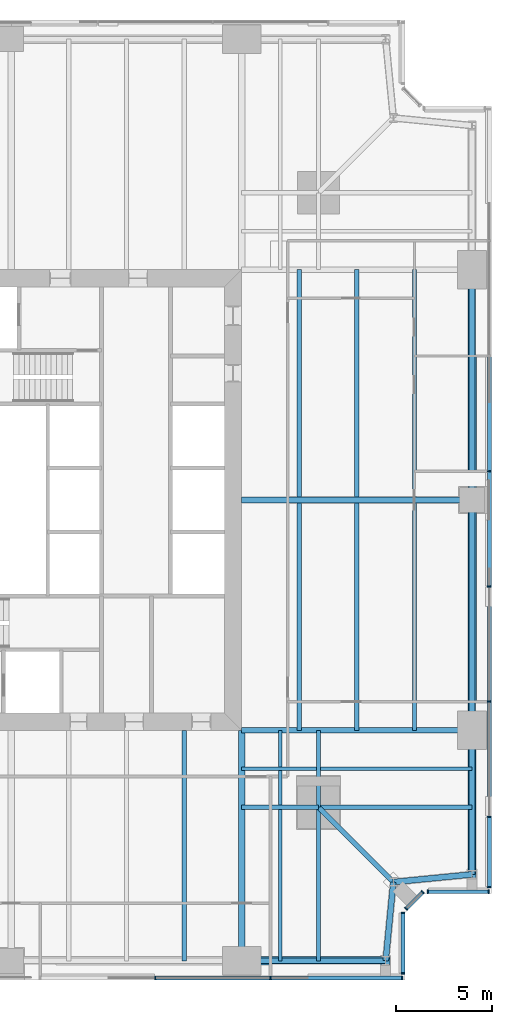
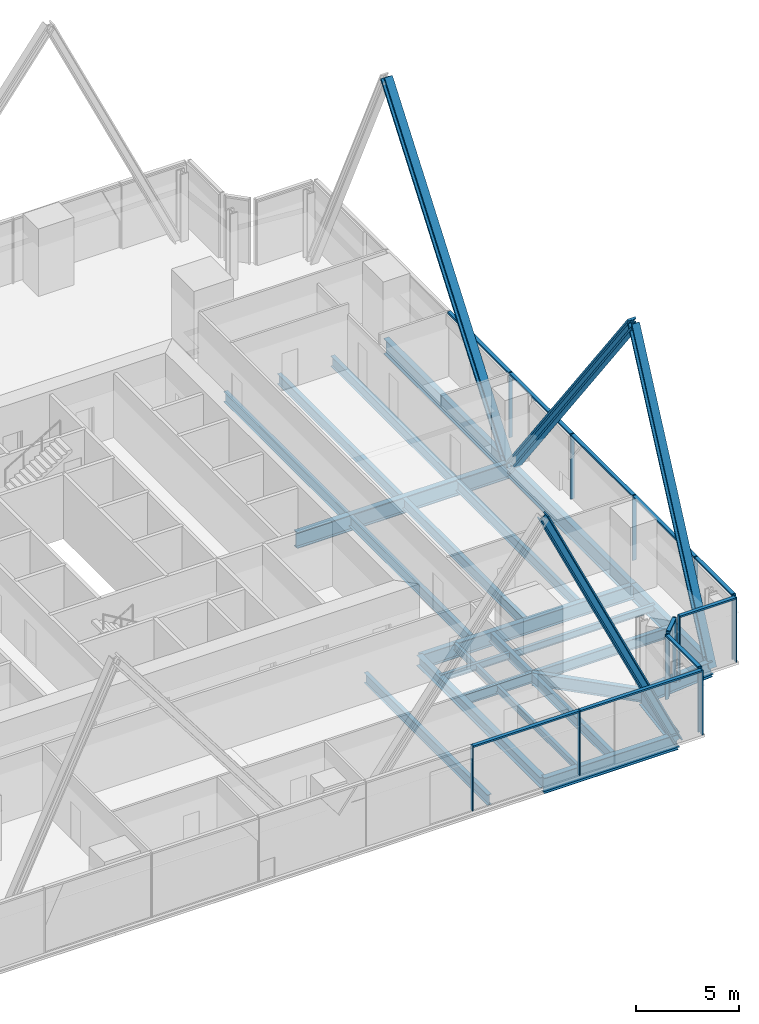
# One storey, part 5 of 13: 28 members, 26 beams, 5 elements without a shape of their own.
"""IFC4 building model written with IfcOpenShell, lengths in metres."""

import ifcopenshell
import ifcopenshell.guid

model = None  # the IFC model being written
_history = None  # IfcOwnerHistory: only IFC2X3 demands one
_inside = {}  # id of a spatial element -> (the spatial element, [elements in it])
_under = {}  # id of a project, library or spatial element -> (it, [spatial elements below it])
_declared = {}  # id of a project -> (the project, [libraries it declares])
_typed = {}  # id of a type object -> (the type object, [elements of that type])
_made_of = {}  # id of a material, layer set ... -> (it, [elements and type objects made of it])


def new_model(schema):
    """Start an empty IFC model of exactly this schema.

    Asked for "IFC4X3", IfcOpenShell would pick the latest addendum, in which some entities
    have other attributes; the version numbers below select the first issue.
    IFC2X3 requires an IfcOwnerHistory on every rooted entity: one is made here for all.
    """
    global model, _history
    if schema == "IFC4X3":
        model = ifcopenshell.file(schema_version=(4, 3, 0, 0))
    else:
        model = ifcopenshell.file(schema=schema)
    _inside.clear()
    _under.clear()
    _declared.clear()
    _typed.clear()
    _made_of.clear()
    _history = None
    if model.schema == "IFC2X3":
        org = make("IfcOrganization", Name="unknown")
        user = make(
            "IfcPersonAndOrganization",
            ThePerson=make("IfcPerson", FamilyName="unknown"),
            TheOrganization=org,
        )
        app = make(
            "IfcApplication",
            ApplicationDeveloper=org,
            Version="unknown",
            ApplicationFullName="unknown",
            ApplicationIdentifier="unknown",
        )
        _history = make(
            "IfcOwnerHistory",
            OwningUser=user,
            OwningApplication=app,
            ChangeAction="ADDED",
            CreationDate=0,
        )
    return model


def make(cls, **values):
    """One entity of the class cls with the attributes given. An attribute that is None is left unset."""
    return model.create_entity(
        cls, **{name: value for name, value in values.items() if value is not None}
    )


def rooted(cls, **values):
    """An entity with a GlobalId (a new one), such as an element, a storey or a relation."""
    return make(cls, GlobalId=ifcopenshell.guid.new(), OwnerHistory=_history, **values)


def si_unit(unit_type, name, prefix=None):
    """IfcSIUnit, for example si_unit("LENGTHUNIT", "METRE", prefix="MILLI")."""
    return make("IfcSIUnit", UnitType=unit_type, Prefix=prefix, Name=name)


def assignment(units):
    """IfcUnitAssignment: the units of a project."""
    return None if units is None else make("IfcUnitAssignment", Units=units)


def point(xyz):
    """IfcCartesianPoint."""
    return None if xyz is None else make("IfcCartesianPoint", Coordinates=xyz)


def direction(xyz):
    """IfcDirection."""
    return None if xyz is None else make("IfcDirection", DirectionRatios=xyz)


def frame(location, z_axis=None, x_axis=None):
    """IfcAxis2Placement3D, a coordinate frame: its origin and axes. An axis left out is left unset."""
    return make(
        "IfcAxis2Placement3D",
        Location=point(location),
        Axis=direction(z_axis),
        RefDirection=direction(x_axis),
    )


def frame_2d(location, x_axis=None):
    """IfcAxis2Placement2D, a coordinate frame in the plane: its origin and x axis."""
    return make(
        "IfcAxis2Placement2D", Location=point(location), RefDirection=direction(x_axis)
    )


def origin():
    """The frame at (0, 0, 0) with its axes left unset."""
    return frame((0.0, 0.0, 0.0))


def origin_2d():
    """The frame at (0, 0) in the plane with its x axis left unset."""
    return frame_2d((0.0, 0.0))


def place(relative_to, where):
    """IfcLocalPlacement: puts the frame where relative to a parent placement (None: the world)."""
    return make(
        "IfcLocalPlacement", PlacementRelTo=relative_to, RelativePlacement=where
    )


def context(
    kind, dimensions, precision=None, world=None, true_north=None, identifier=None
):
    """IfcGeometricRepresentationContext, for example the 3D "Model" context."""
    return make(
        "IfcGeometricRepresentationContext",
        ContextIdentifier=identifier,
        ContextType=kind,
        CoordinateSpaceDimension=dimensions,
        Precision=precision,
        WorldCoordinateSystem=world,
        TrueNorth=true_north,
    )


def subcontext(parent, identifier, kind, view, scale=None):
    """IfcGeometricRepresentationSubContext, for example "Body" below "Model"."""
    return make(
        "IfcGeometricRepresentationSubContext",
        ContextIdentifier=identifier,
        ContextType=kind,
        ParentContext=parent,
        TargetScale=scale,
        TargetView=view,
    )


def project(units=None, contexts=None):
    """IfcProject with its units and contexts."""
    return rooted(
        "IfcProject",
        Name="project",
        RepresentationContexts=contexts,
        UnitsInContext=assignment(units),
    )


def spatial(cls, under=None, at=None, **own):
    """A site, building, storey or space (cls), placed at a placement, below another one or the project."""
    s = rooted(cls, ObjectPlacement=at, **own)
    if under is not None:
        _under.setdefault(under.id(), (under, []))[1].append(s)
    return s


def profile(cls, at=None, kind="AREA", **sizes):
    """A parametric profile (cls). Its sizes go by their IFC names, for example OverallWidth=200.0."""
    return make(cls, ProfileType=kind, Position=at, **sizes)


def rectangle(**sizes):
    """IfcRectangleProfileDef."""
    return profile("IfcRectangleProfileDef", **sizes)


def i_section(**sizes):
    """IfcIShapeProfileDef."""
    return profile("IfcIShapeProfileDef", **sizes)


def extrude(swept, where, along, depth):
    """IfcExtrudedAreaSolid: the profile swept, set in the frame where, extruded along a direction by depth."""
    return make(
        "IfcExtrudedAreaSolid",
        SweptArea=swept,
        Position=where,
        ExtrudedDirection=direction(along),
        Depth=depth,
    )


def shape(context_of_items, identifier, shape_type, items):
    """IfcShapeRepresentation: the items that make up one representation, for example the "Body"."""
    return make(
        "IfcShapeRepresentation",
        ContextOfItems=context_of_items,
        RepresentationIdentifier=identifier,
        RepresentationType=shape_type,
        Items=items,
    )


def material(Name=None, Category=None):
    """IfcMaterial."""
    return make("IfcMaterial", Name=Name, Category=Category)


def material_profile(
    of_material, cross_section, Name=None, Category=None, Priority=None
):
    """IfcMaterialProfile: a cross section and its material."""
    return make(
        "IfcMaterialProfile",
        Name=Name,
        Material=of_material,
        Profile=cross_section,
        Priority=Priority,
        Category=Category,
    )


def profile_set(profiles, Name=None, composite=None):
    """IfcMaterialProfileSet."""
    return make(
        "IfcMaterialProfileSet",
        Name=Name,
        MaterialProfiles=profiles,
        CompositeProfile=composite,
    )


def made_of(thing, what):
    """Note that an element or type object is made of a material, layer set ...; save() writes the relation."""
    if what is not None:
        _made_of.setdefault(what.id(), (what, []))[1].append(thing)
    return thing


def type_object(cls, material=None, **own):
    """A type object (cls), such as IfcWallType, which elements share."""
    return made_of(rooted(cls, **own), material)


def element(
    cls,
    number,
    at=None,
    inside=None,
    cuts=None,
    type_object=None,
    material=None,
    context=None,
    identifier="Body",
    shape_type=None,
    held_by="IfcProductDefinitionShape",
    body=None,
    shapes=None,
    **own,
):
    """One element of the class cls, such as IfcWall. Its Tag is "e" and its number.

    at: its placement. inside: the storey or other place that contains it. cuts: it is an
    opening in that element (IfcRelVoidsElement). A single representation is given by context,
    identifier, shape_type and body (its items); several are given by shapes. held_by: the class
    of the entity that holds the representations. save() writes the other relations.
    """
    e = rooted(cls, Tag="e%d" % number, ObjectPlacement=at, **own)
    if body is not None:
        shapes = [shape(context, identifier, shape_type, body)]
    if shapes is not None:
        e.Representation = make(held_by, Representations=shapes)
    if inside is not None:
        _inside.setdefault(inside.id(), (inside, []))[1].append(e)
    if cuts is not None:
        rooted(
            "IfcRelVoidsElement", RelatingBuildingElement=cuts, RelatedOpeningElement=e
        )
    if type_object is not None:
        _typed.setdefault(type_object.id(), (type_object, []))[1].append(e)
    return made_of(e, material)


def aggregate(whole, parts):
    """IfcRelAggregates: a whole, such as a stair, and the parts it consists of."""
    return rooted("IfcRelAggregates", RelatingObject=whole, RelatedObjects=parts)


def save(model, path):
    """Write the relations noted so far, then the file.

    IfcRelAggregates (storeys below a building ...), IfcRelContainedInSpatialStructure (elements
    in a storey), IfcRelDefinesByType, IfcRelAssociatesMaterial and IfcRelDeclares: one each for
    every whole, place, type object, material and project.
    """
    for whole, parts in _under.values():
        aggregate(whole, parts)
    for where, things in _inside.values():
        rooted(
            "IfcRelContainedInSpatialStructure",
            RelatedElements=things,
            RelatingStructure=where,
        )
    for kind, things in _typed.values():
        rooted("IfcRelDefinesByType", RelatedObjects=things, RelatingType=kind)
    for what, things in _made_of.values():
        rooted("IfcRelAssociatesMaterial", RelatedObjects=things, RelatingMaterial=what)
    for by, libraries in _declared.values():
        rooted("IfcRelDeclares", RelatingContext=by, RelatedDefinitions=libraries)
    model.write(path)


model = new_model("IFC4")

# Units and contexts
model_context = context("Model", 3, precision=1e-05, world=origin(), true_north=direction((0.0, 1.0)))
body_context = subcontext(model_context, "Body", "Model", "MODEL_VIEW")
ifc_project = project(units=[si_unit("LENGTHUNIT", "METRE"), si_unit("AREAUNIT", "SQUARE_METRE"), si_unit("VOLUMEUNIT", "CUBIC_METRE"), si_unit("PLANEANGLEUNIT", "RADIAN"), si_unit("MASSUNIT", "GRAM", prefix="KILO")], contexts=[model_context])

# Site, building, storey
site_placement = place(None, origin())
site = spatial("IfcSite", under=ifc_project, at=site_placement, CompositionType="ELEMENT")
building_placement = place(site_placement, origin())
building = spatial("IfcBuilding", under=site, at=building_placement, Name="Fenwick Lantern Interchange", CompositionType="ELEMENT")
storey_placement = place(building_placement, frame((0.0, 0.0, 146.39990234375)))
storey = spatial("IfcBuildingStorey", under=building, at=storey_placement, Name="L34", CompositionType="ELEMENT", Elevation=146.39990234375)

# Beams
ifc_material_1 = material(Name="Steel ASTM A992 Grade 50", Category="steel")
ifc_material_profile_1 = material_profile(ifc_material_1, i_section(OverallWidth=0.3046875, OverallDepth=0.911865234375, WebThickness=0.015869140625, FlangeThickness=0.02392578125, at=origin_2d()), Name="W36X150")
ifc_profile_set_1 = profile_set([ifc_material_profile_1], Name="Steel ASTM A992 Grade 50")
beam_type_1 = type_object("IfcBeamType", Name="EDGE BEAM W36X150", PredefinedType="SPANDREL", material=ifc_profile_set_1)
beam_1_placement = place(storey_placement, frame((37.0, 1.0, -0.605712890625), z_axis=(1.0, 0.0, 0.0), x_axis=(0.0, 1.0, 0.0)))
element("IfcBeam", 1, at=beam_1_placement, inside=storey, type_object=beam_type_1, Name="L34/FR/S/EB4", PredefinedType="SPANDREL", context=body_context, shape_type="SweptSolid", body=[
    extrude(i_section(OverallWidth=0.3046875, OverallDepth=0.911865234375, WebThickness=0.015869140625, FlangeThickness=0.02392578125, at=origin_2d()), origin(), (0.0, 0.0, 1.0), 7.5),
])
for number, where, z_axis, x_axis, name in (
    (2, (44.5, 1.0, -0.605712890625), (0.097074191287, 0.995277148028, 0.0), (-0.995277148028, 0.097074191287, 0.0), "L34/FR/S/EBR1"),
    (3, (44.89990234375, 5.10009765625, -0.605712890625), (0.995277148028, 0.097074191287, 0.0), (-0.097074191287, 0.995277148028, 0.0), "L34/FR/S/EBR2"),
):
    element("IfcBeam", number, at=place(storey_placement, frame(where, z_axis=z_axis, x_axis=x_axis)), inside=storey, type_object=beam_type_1, Name=name, PredefinedType="SPANDREL", context=body_context, shape_type="SweptSolid", body=[
        extrude(i_section(OverallWidth=0.3046875, OverallDepth=0.911865234375, WebThickness=0.015869140625, FlangeThickness=0.02392578125, at=origin_2d()), origin(), (0.0, 0.0, 1.0), 4.11962890625),
    ])
beam_2_placement = place(storey_placement, frame((49.0, 5.5, -0.605712890625), z_axis=(0.0, 1.0, 0.0), x_axis=(-1.0, 0.0, 0.0)))
element("IfcBeam", 4, at=beam_2_placement, inside=storey, type_object=beam_type_1, Name="L34/FR/E/EB1", PredefinedType="SPANDREL", context=body_context, shape_type="SweptSolid", body=[
    extrude(i_section(OverallWidth=0.3046875, OverallDepth=0.911865234375, WebThickness=0.015869140625, FlangeThickness=0.02392578125, at=origin_2d()), origin(), (0.0, 0.0, 1.0), 7.5),
])
for number, where, z_axis, x_axis, name in (
    (5, (49.0, 13.0, -0.605712890625), (0.0, 1.0, 0.0), (-1.0, 0.0, 0.0), "L34/FR/E/EB2"),
    (6, (49.0, 25.0, -0.605712890625), (0.0, 1.0, 0.0), (-1.0, 0.0, 0.0), "L34/FR/E/EB3"),
):
    element("IfcBeam", number, at=place(storey_placement, frame(where, z_axis=z_axis, x_axis=x_axis)), inside=storey, type_object=beam_type_1, Name=name, PredefinedType="SPANDREL", context=body_context, shape_type="SweptSolid", body=[
        extrude(i_section(OverallWidth=0.3046875, OverallDepth=0.911865234375, WebThickness=0.015869140625, FlangeThickness=0.02392578125, at=origin_2d()), origin(), (0.0, 0.0, 1.0), 12.0),
    ])

# Members
ifc_material_profile_2 = material_profile(ifc_material_1, i_section(OverallWidth=0.424072265625, OverallDepth=0.47509765625, WebThickness=0.0478515625, FlangeThickness=0.0771484375, at=origin_2d()), Name="W14X426")
ifc_profile_set_2 = profile_set([ifc_material_profile_2], Name="Steel ASTM A992 Grade 50")
member_type_1 = type_object("IfcMemberType", Name="FACADE BRACE W14X426", PredefinedType="BRACE", material=ifc_profile_set_2)
for number, where, z_axis, x_axis, name in (
    (7, (44.5, 1.0, -0.605712890625), (-0.426947906428, 0.0, 0.904276221736), (0.0, -1.0, 0.0), "L34/FB/S/BE"),
    (8, (49.0, 5.5, -0.605712890625), (0.0, 0.426947906428, 0.904276221736), (-1.0, 0.0, 0.0), "L34/FB/E/AE"),
):
    element("IfcMember", number, at=place(storey_placement, frame(where, z_axis=z_axis, x_axis=x_axis)), inside=storey, type_object=member_type_1, Name=name, PredefinedType="BRACE", context=body_context, shape_type="SweptSolid", body=[
        extrude(i_section(OverallWidth=0.424072265625, OverallDepth=0.47509765625, WebThickness=0.0478515625, FlangeThickness=0.0771484375, at=origin_2d()), origin(), (0.0, 0.0, 1.0), 17.566650390625),
    ])
ifc_material_profile_3 = material_profile(ifc_material_1, i_section(OverallWidth=0.44189453125, OverallDepth=0.53076171875, WebThickness=0.06591796875, FlangeThickness=0.105712890625, at=origin_2d()), Name="W14X605")
ifc_profile_set_3 = profile_set([ifc_material_profile_3], Name="Steel ASTM A992 Grade 50")
member_type_2 = type_object("IfcMemberType", Name="FACADE BRACE W14X605", PredefinedType="BRACE", material=ifc_profile_set_3)
for number, where, z_axis, x_axis, name in (
    (9, (49.0, 25.0, -0.605712890625), (0.0, -0.602768898294, 0.797915819651), (1.0, 0.0, 0.0), "L34/FB/E/A"),
    (10, (49.0, 25.0, -0.605712890625), (0.0, 0.602768898294, 0.797915819651), (-1.0, 0.0, 0.0), "L34/FB/E/B"),
):
    element("IfcMember", number, at=place(storey_placement, frame(where, z_axis=z_axis, x_axis=x_axis)), inside=storey, type_object=member_type_2, Name=name, PredefinedType="BRACE", context=body_context, shape_type="SweptSolid", body=[
        extrude(i_section(OverallWidth=0.44189453125, OverallDepth=0.53076171875, WebThickness=0.06591796875, FlangeThickness=0.105712890625, at=origin_2d()), origin(), (0.0, 0.0, 1.0), 19.908203125),
    ])

# Beams
ifc_material_profile_4 = material_profile(ifc_material_1, i_section(OverallWidth=0.22900390625, OverallDepth=0.612060546875, WebThickness=0.011962890625, FlangeThickness=0.01953125, at=origin_2d()), Name="W24X84")
ifc_profile_set_4 = profile_set([ifc_material_profile_4], Name="Steel ASTM A992 Grade 50")
beam_type_2 = type_object("IfcBeamType", Name="FLOOR BEAM W24X84", PredefinedType="BEAM", material=ifc_profile_set_4)
beam_3_placement = place(storey_placement, frame((34.0, 1.0, -0.4560546875), z_axis=(0.0, 1.0, 0.0), x_axis=(-1.0, 0.0, 0.0)))
element("IfcBeam", 11, at=beam_3_placement, inside=storey, type_object=beam_type_2, Name="L34/FR/S/R08", PredefinedType="BEAM", context=body_context, shape_type="SweptSolid", body=[
    extrude(i_section(OverallWidth=0.22900390625, OverallDepth=0.612060546875, WebThickness=0.011962890625, FlangeThickness=0.01953125, at=origin_2d()), origin(), (0.0, 0.0, 1.0), 12.0),
])
for number, where, z_axis, x_axis, name in (
    (12, (46.0, 13.0, -0.4560546875), (0.0, 1.0, 0.0), (-1.0, 0.0, 0.0), "L34/FR/E/B01"),
    (13, (43.0, 13.0, -0.4560546875), (0.0, 1.0, 0.0), (-1.0, 0.0, 0.0), "L34/FR/E/B02"),
    (14, (40.0, 13.0, -0.4560546875), (0.0, 1.0, 0.0), (-1.0, 0.0, 0.0), "L34/FR/E/B03"),
    (15, (46.0, 25.155029296875, -0.4560546875), (0.0, 1.0, 0.0), (-1.0, 0.0, 0.0), "L34/FR/E/B04"),
    (16, (43.0, 25.155029296875, -0.4560546875), (0.0, 1.0, 0.0), (-1.0, 0.0, 0.0), "L34/FR/E/B05"),
    (17, (40.0, 25.155029296875, -0.4560546875), (0.0, 1.0, 0.0), (-1.0, 0.0, 0.0), "L34/FR/E/B06"),
):
    element("IfcBeam", number, at=place(storey_placement, frame(where, z_axis=z_axis, x_axis=x_axis)), inside=storey, type_object=beam_type_2, Name=name, PredefinedType="BEAM", context=body_context, shape_type="SweptSolid", body=[
        extrude(i_section(OverallWidth=0.22900390625, OverallDepth=0.612060546875, WebThickness=0.011962890625, FlangeThickness=0.01953125, at=origin_2d()), origin(), (0.0, 0.0, 1.0), 11.844970703125),
    ])
ifc_material_profile_5 = material_profile(ifc_material_1, i_section(OverallWidth=0.177734375, OverallDepth=0.406494140625, WebThickness=0.0078125, FlangeThickness=0.012939453125, at=origin_2d()), Name="W16X40")
ifc_profile_set_5 = profile_set([ifc_material_profile_5], Name="Steel ASTM A992 Grade 50")
beam_type_3 = type_object("IfcBeamType", Name="INFILL BEAM W16X40", PredefinedType="JOIST", material=ifc_profile_set_5)
beam_4_placement = place(storey_placement, frame((49.0, 11.0, -0.35302734375), z_axis=(-1.0, 0.0, 0.0), x_axis=(0.0, -1.0, 0.0)))
element("IfcBeam", 18, at=beam_4_placement, inside=storey, type_object=beam_type_3, Name="L34/FR/E/J1", PredefinedType="JOIST", context=body_context, shape_type="SweptSolid", body=[
    extrude(i_section(OverallWidth=0.177734375, OverallDepth=0.406494140625, WebThickness=0.0078125, FlangeThickness=0.012939453125, at=origin_2d()), origin(), (0.0, 0.0, 1.0), 7.885498046875),
])
beam_5_placement = place(storey_placement, frame((40.885498046875, 11.0, -0.35302734375), z_axis=(-1.0, 0.0, 0.0), x_axis=(0.0, -1.0, 0.0)))
element("IfcBeam", 19, at=beam_5_placement, inside=storey, type_object=beam_type_3, Name="L34/FR/E/J2", PredefinedType="JOIST", context=body_context, shape_type="SweptSolid", body=[
    extrude(i_section(OverallWidth=0.177734375, OverallDepth=0.406494140625, WebThickness=0.0078125, FlangeThickness=0.012939453125, at=origin_2d()), origin(), (0.0, 0.0, 1.0), 3.885498046875),
])
beam_6_placement = place(storey_placement, frame((39.0, 1.0, -0.35302734375), z_axis=(0.0, 1.0, 0.0), x_axis=(-1.0, 0.0, 0.0)))
element("IfcBeam", 20, at=beam_6_placement, inside=storey, type_object=beam_type_3, Name="L34/FR/E/J3", PredefinedType="JOIST", context=body_context, shape_type="SweptSolid", body=[
    extrude(i_section(OverallWidth=0.177734375, OverallDepth=0.406494140625, WebThickness=0.0078125, FlangeThickness=0.012939453125, at=origin_2d()), origin(), (0.0, 0.0, 1.0), 7.885498046875),
])
beam_7_placement = place(storey_placement, frame((39.0, 9.114501953125, -0.35302734375), z_axis=(0.0, 1.0, 0.0), x_axis=(-1.0, 0.0, 0.0)))
element("IfcBeam", 21, at=beam_7_placement, inside=storey, type_object=beam_type_3, Name="L34/FR/E/J4", PredefinedType="JOIST", context=body_context, shape_type="SweptSolid", body=[
    extrude(i_section(OverallWidth=0.177734375, OverallDepth=0.406494140625, WebThickness=0.0078125, FlangeThickness=0.012939453125, at=origin_2d()), origin(), (0.0, 0.0, 1.0), 1.796630859375),
])
beam_8_placement = place(storey_placement, frame((39.0, 11.0888671875, -0.35302734375), z_axis=(0.0, 1.0, 0.0), x_axis=(-1.0, 0.0, 0.0)))
element("IfcBeam", 22, at=beam_8_placement, inside=storey, type_object=beam_type_3, Name="L34/FR/E/J5", PredefinedType="JOIST", context=body_context, shape_type="SweptSolid", body=[
    extrude(i_section(OverallWidth=0.177734375, OverallDepth=0.406494140625, WebThickness=0.0078125, FlangeThickness=0.012939453125, at=origin_2d()), origin(), (0.0, 0.0, 1.0), 1.9111328125),
])
ifc_material_profile_6 = material_profile(ifc_material_1, i_section(OverallWidth=0.22900390625, OverallDepth=0.612060546875, WebThickness=0.011962890625, FlangeThickness=0.01953125, at=origin_2d()), Name="W24X84")
ifc_profile_set_6 = profile_set([ifc_material_profile_6], Name="Steel ASTM A992 Grade 50")
beam_type_4 = type_object("IfcBeamType", Name="MEGA COLUMN BEAM W24X84", PredefinedType="BEAM", material=ifc_profile_set_6)
for number, where, z_axis, x_axis, name in (
    (23, (41.0, 9.0, -0.4560546875), (1.0, 0.0, 0.0), (0.0, 1.0, 0.0), "L34/FR/E/MB1"),
    (24, (41.0, 9.0, -0.4560546875), (0.0, -1.0, 0.0), (1.0, 0.0, 0.0), "L34/FR/E/MB2"),
):
    element("IfcBeam", number, at=place(storey_placement, frame(where, z_axis=z_axis, x_axis=x_axis)), inside=storey, type_object=beam_type_4, Name=name, PredefinedType="BEAM", context=body_context, shape_type="SweptSolid", body=[
        extrude(i_section(OverallWidth=0.22900390625, OverallDepth=0.612060546875, WebThickness=0.011962890625, FlangeThickness=0.01953125, at=origin_2d()), origin(), (0.0, 0.0, 1.0), 8.0),
    ])
for number, where, z_axis, x_axis, name in (
    (25, (41.0, 9.0, -0.4560546875), (0.0, 1.0, 0.0), (-1.0, 0.0, 0.0), "L34/FR/E/MB3"),
    (26, (41.0, 9.0, -0.4560546875), (-1.0, 0.0, 0.0), (0.0, -1.0, 0.0), "L34/FR/E/MB4"),
):
    element("IfcBeam", number, at=place(storey_placement, frame(where, z_axis=z_axis, x_axis=x_axis)), inside=storey, type_object=beam_type_4, Name=name, PredefinedType="BEAM", context=body_context, shape_type="SweptSolid", body=[
        extrude(i_section(OverallWidth=0.22900390625, OverallDepth=0.612060546875, WebThickness=0.011962890625, FlangeThickness=0.01953125, at=origin_2d()), origin(), (0.0, 0.0, 1.0), 4.0),
    ])
ifc_material_profile_7 = material_profile(ifc_material_1, i_section(OverallWidth=0.32763671875, OverallDepth=0.622314453125, WebThickness=0.015380859375, FlangeThickness=0.0244140625, at=origin_2d()), Name="W24X131")
ifc_profile_set_7 = profile_set([ifc_material_profile_7], Name="Steel ASTM A992 Grade 50")
beam_type_5 = type_object("IfcBeamType", Name="MOMENT-CONNECTED GIRDER W24X131", PredefinedType="BEAM", material=ifc_profile_set_7)
beam_9_placement = place(storey_placement, frame((37.0, 1.0, -0.4609375), z_axis=(0.0, 1.0, 0.0), x_axis=(-1.0, 0.0, 0.0)))
element("IfcBeam", 27, at=beam_9_placement, inside=storey, type_object=beam_type_5, Name="L34/FR/S/R09", PredefinedType="BEAM", context=body_context, shape_type="SweptSolid", body=[
    extrude(i_section(OverallWidth=0.32763671875, OverallDepth=0.622314453125, WebThickness=0.015380859375, FlangeThickness=0.0244140625, at=origin_2d()), origin(), (0.0, 0.0, 1.0), 12.0),
])
ifc_material_profile_8 = material_profile(ifc_material_1, i_section(OverallWidth=0.2919921875, OverallDepth=0.845703125, WebThickness=0.015380859375, FlangeThickness=0.0244140625, at=origin_2d()), Name="W33X141")
ifc_profile_set_8 = profile_set([ifc_material_profile_8], Name="Steel ASTM A992 Grade 50")
beam_type_6 = type_object("IfcBeamType", Name="MOMENT-CONNECTED GIRDER W33X141", PredefinedType="BEAM", material=ifc_profile_set_8)
beam_10_placement = place(storey_placement, frame((49.0, 13.0, -0.57275390625), z_axis=(-1.0, 0.0, 0.0), x_axis=(0.0, -1.0, 0.0)))
element("IfcBeam", 28, at=beam_10_placement, inside=storey, type_object=beam_type_6, Name="L34/FR/E/R01", PredefinedType="BEAM", context=body_context, shape_type="SweptSolid", body=[
    extrude(i_section(OverallWidth=0.2919921875, OverallDepth=0.845703125, WebThickness=0.015380859375, FlangeThickness=0.0244140625, at=origin_2d()), origin(), (0.0, 0.0, 1.0), 12.0),
])
ifc_material_profile_9 = material_profile(ifc_material_1, i_section(OverallWidth=0.309814453125, OverallDepth=0.949951171875, WebThickness=0.0244140625, FlangeThickness=0.0439453125, at=origin_2d()), Name="W36X256")
ifc_profile_set_9 = profile_set([ifc_material_profile_9], Name="Steel ASTM A992 Grade 50")
beam_type_7 = type_object("IfcBeamType", Name="MOMENT-CONNECTED GIRDER W36X256", PredefinedType="BEAM", material=ifc_profile_set_9)
beam_11_placement = place(storey_placement, frame((49.0, 25.0, -0.625), z_axis=(-1.0, 0.0, 0.0), x_axis=(0.0, -1.0, 0.0)))
element("IfcBeam", 29, at=beam_11_placement, inside=storey, type_object=beam_type_7, Name="L34/FR/E/R02", PredefinedType="BEAM", context=body_context, shape_type="SweptSolid", body=[
    extrude(i_section(OverallWidth=0.309814453125, OverallDepth=0.949951171875, WebThickness=0.0244140625, FlangeThickness=0.0439453125, at=origin_2d()), origin(), (0.0, 0.0, 1.0), 12.0),
])
ifc_material_profile_10 = material_profile(ifc_material_1, i_section(OverallWidth=0.2666015625, OverallDepth=0.7568359375, WebThickness=0.013916015625, FlangeThickness=0.019287109375, at=origin_2d()), Name="W30X108")
ifc_profile_set_10 = profile_set([ifc_material_profile_10], Name="Steel ASTM A992 Grade 50")
beam_type_8 = type_object("IfcBeamType", Name="NOTCH BEAM W30X108", PredefinedType="BEAM", material=ifc_profile_set_10)
beam_12_placement = place(storey_placement, frame((41.0, 9.0, -0.5283203125), z_axis=(0.707106781187, -0.707106781187, 0.0), x_axis=(0.707106781187, 0.707106781187, 0.0)))
element("IfcBeam", 30, at=beam_12_placement, inside=storey, type_object=beam_type_8, Name="L34/FR/E/TG", PredefinedType="BEAM", context=body_context, shape_type="SweptSolid", body=[
    extrude(i_section(OverallWidth=0.2666015625, OverallDepth=0.7568359375, WebThickness=0.013916015625, FlangeThickness=0.019287109375, at=origin_2d()), origin(), (0.0, 0.0, 1.0), 5.515380859375),
])

# Curtain wall, members
ifc_material_2 = material(Name="Aluminium curtain wall frame", Category="aluminium")
curtain_wall_type = type_object("IfcCurtainWallType", Name="OFFICE CURTAIN WALL", PredefinedType="USERDEFINED", material=ifc_material_2)
curtain_wall_1_placement = place(storey_placement, origin())
curtain_wall_1 = element("IfcCurtainWall", 31, at=curtain_wall_1_placement, inside=storey, type_object=curtain_wall_type, Name="Office curtain wall 01", ObjectType="OFFICE CURTAIN WALL", PredefinedType="USERDEFINED")
ifc_material_3 = material(Name="Aluminium extrusion", Category="aluminium")
ifc_material_profile_11 = material_profile(ifc_material_3, rectangle(XDim=0.199951171875, YDim=0.06494140625, at=origin_2d()), Name="OFFICE CURTAIN WALL MULLION 65 X 200")
ifc_profile_set_11 = profile_set([ifc_material_profile_11], Name="Aluminium extrusion")
member_type_3 = type_object("IfcMemberType", Name="OFFICE CURTAIN WALL MULLION 65 X 200", PredefinedType="MULLION", material=ifc_profile_set_11)
member_1_placement = place(storey_placement, frame((32.5, 0.10009765625, 0.0), z_axis=(0.0, 0.0, 1.0), x_axis=(0.0, 1.0, 0.0)))
member_1 = element("IfcMember", 32, at=member_1_placement, type_object=member_type_3, Name="L34/CW/01/M05", PredefinedType="MULLION", context=body_context, shape_type="SweptSolid", body=[
    extrude(rectangle(XDim=0.199951171875, YDim=0.06494140625, at=origin_2d()), origin(), (0.0, 0.0, 1.0), 3.85009765625),
])
member_2_placement = place(storey_placement, frame((38.5, 0.10009765625, 0.0), z_axis=(0.0, 0.0, 1.0), x_axis=(0.0, 1.0, 0.0)))
member_2 = element("IfcMember", 33, at=member_2_placement, type_object=member_type_3, Name="L34/CW/01/M06", PredefinedType="MULLION", context=body_context, shape_type="SweptSolid", body=[
    extrude(rectangle(XDim=0.199951171875, YDim=0.06494140625, at=origin_2d()), origin(), (0.0, 0.0, 1.0), 3.85009765625),
])
member_3_placement = place(storey_placement, frame((45.367431640625, 0.10009765625, 0.0), z_axis=(0.0, 0.0, 1.0), x_axis=(0.0, 1.0, 0.0)))
member_3 = element("IfcMember", 34, at=member_3_placement, type_object=member_type_3, Name="L34/CW/01/M07", PredefinedType="MULLION", context=body_context, shape_type="SweptSolid", body=[
    extrude(rectangle(XDim=0.199951171875, YDim=0.06494140625, at=origin_2d()), origin(), (0.0, 0.0, 1.0), 3.85009765625),
])

curtain_wall_2_placement = place(storey_placement, origin())
curtain_wall_2 = element("IfcCurtainWall", 35, at=curtain_wall_2_placement, inside=storey, type_object=curtain_wall_type, Name="Office curtain wall 02", ObjectType="OFFICE CURTAIN WALL", PredefinedType="USERDEFINED")
member_4_placement = place(storey_placement, frame((45.39990234375, 0.33251953125, 0.0), z_axis=(0.0, 0.0, 1.0), x_axis=(-1.0, 0.0, 0.0)))
member_4 = element("IfcMember", 36, at=member_4_placement, type_object=member_type_3, Name="L34/CW/02/M00", PredefinedType="MULLION", context=body_context, shape_type="SweptSolid", body=[
    extrude(rectangle(XDim=0.199951171875, YDim=0.06494140625, at=origin_2d()), origin(), (0.0, 0.0, 1.0), 3.85009765625),
])
member_5_placement = place(storey_placement, frame((45.39990234375, 3.509033203125, 0.0), z_axis=(0.0, 0.0, 1.0), x_axis=(-1.0, 0.0, 0.0)))
member_5 = element("IfcMember", 37, at=member_5_placement, type_object=member_type_3, Name="L34/CW/02/M01", PredefinedType="MULLION", context=body_context, shape_type="SweptSolid", body=[
    extrude(rectangle(XDim=0.199951171875, YDim=0.06494140625, at=origin_2d()), origin(), (0.0, 0.0, 1.0), 3.85009765625),
])

curtain_wall_3_placement = place(storey_placement, origin())
curtain_wall_3 = element("IfcCurtainWall", 38, at=curtain_wall_3_placement, inside=storey, type_object=curtain_wall_type, Name="Office curtain wall 03", ObjectType="OFFICE CURTAIN WALL", PredefinedType="USERDEFINED")
member_6_placement = place(storey_placement, frame((45.564453125, 3.705810546875, 0.0), z_axis=(0.0, 0.0, 1.0), x_axis=(-0.707106781187, 0.707106781187, 0.0)))
member_6 = element("IfcMember", 39, at=member_6_placement, type_object=member_type_3, Name="L34/CW/03/M00", PredefinedType="MULLION", context=body_context, shape_type="SweptSolid", body=[
    extrude(rectangle(XDim=0.199951171875, YDim=0.06494140625, at=origin_2d()), origin(), (0.0, 0.0, 1.0), 3.85009765625),
])
member_7_placement = place(storey_placement, frame((46.435546875, 4.576904296875, 0.0), z_axis=(0.0, 0.0, 1.0), x_axis=(-0.707106781187, 0.707106781187, 0.0)))
member_7 = element("IfcMember", 40, at=member_7_placement, type_object=member_type_3, Name="L34/CW/03/M01", PredefinedType="MULLION", context=body_context, shape_type="SweptSolid", body=[
    extrude(rectangle(XDim=0.199951171875, YDim=0.06494140625, at=origin_2d()), origin(), (0.0, 0.0, 1.0), 3.85009765625),
])

curtain_wall_4_placement = place(storey_placement, origin())
curtain_wall_4 = element("IfcCurtainWall", 41, at=curtain_wall_4_placement, inside=storey, type_object=curtain_wall_type, Name="Office curtain wall 04", ObjectType="OFFICE CURTAIN WALL", PredefinedType="USERDEFINED")
member_8_placement = place(storey_placement, frame((46.691162109375, 4.60009765625, 0.0), z_axis=(0.0, 0.0, 1.0), x_axis=(0.0, 1.0, 0.0)))
member_8 = element("IfcMember", 42, at=member_8_placement, type_object=member_type_3, Name="L34/CW/04/M00", PredefinedType="MULLION", context=body_context, shape_type="SweptSolid", body=[
    extrude(rectangle(XDim=0.199951171875, YDim=0.06494140625, at=origin_2d()), origin(), (0.0, 0.0, 1.0), 3.85009765625),
])
member_9_placement = place(storey_placement, frame((49.867431640625, 4.60009765625, 0.0), z_axis=(0.0, 0.0, 1.0), x_axis=(0.0, 1.0, 0.0)))
member_9 = element("IfcMember", 43, at=member_9_placement, type_object=member_type_3, Name="L34/CW/04/M01", PredefinedType="MULLION", context=body_context, shape_type="SweptSolid", body=[
    extrude(rectangle(XDim=0.199951171875, YDim=0.06494140625, at=origin_2d()), origin(), (0.0, 0.0, 1.0), 3.85009765625),
])

curtain_wall_5_placement = place(storey_placement, origin())
curtain_wall_5 = element("IfcCurtainWall", 44, at=curtain_wall_5_placement, inside=storey, type_object=curtain_wall_type, Name="Office curtain wall 05", ObjectType="OFFICE CURTAIN WALL", PredefinedType="USERDEFINED")
member_10_placement = place(storey_placement, frame((49.89990234375, 4.83251953125, 0.0), z_axis=(0.0, 0.0, 1.0), x_axis=(-1.0, 0.0, 0.0)))
member_10 = element("IfcMember", 45, at=member_10_placement, type_object=member_type_3, Name="L34/CW/05/M00", PredefinedType="MULLION", context=body_context, shape_type="SweptSolid", body=[
    extrude(rectangle(XDim=0.199951171875, YDim=0.06494140625, at=origin_2d()), origin(), (0.0, 0.0, 1.0), 3.85009765625),
])
member_11_placement = place(storey_placement, frame((49.89990234375, 8.5, 0.0), z_axis=(0.0, 0.0, 1.0), x_axis=(-1.0, 0.0, 0.0)))
member_11 = element("IfcMember", 46, at=member_11_placement, type_object=member_type_3, Name="L34/CW/05/M01", PredefinedType="MULLION", context=body_context, shape_type="SweptSolid", body=[
    extrude(rectangle(XDim=0.199951171875, YDim=0.06494140625, at=origin_2d()), origin(), (0.0, 0.0, 1.0), 3.85009765625),
])
member_12_placement = place(storey_placement, frame((49.89990234375, 14.5, 0.0), z_axis=(0.0, 0.0, 1.0), x_axis=(-1.0, 0.0, 0.0)))
member_12 = element("IfcMember", 47, at=member_12_placement, type_object=member_type_3, Name="L34/CW/05/M02", PredefinedType="MULLION", context=body_context, shape_type="SweptSolid", body=[
    extrude(rectangle(XDim=0.199951171875, YDim=0.06494140625, at=origin_2d()), origin(), (0.0, 0.0, 1.0), 3.85009765625),
])
member_13_placement = place(storey_placement, frame((49.89990234375, 20.5, 0.0), z_axis=(0.0, 0.0, 1.0), x_axis=(-1.0, 0.0, 0.0)))
member_13 = element("IfcMember", 48, at=member_13_placement, type_object=member_type_3, Name="L34/CW/05/M03", PredefinedType="MULLION", context=body_context, shape_type="SweptSolid", body=[
    extrude(rectangle(XDim=0.199951171875, YDim=0.06494140625, at=origin_2d()), origin(), (0.0, 0.0, 1.0), 3.85009765625),
])
member_14_placement = place(storey_placement, frame((49.89990234375, 26.5, 0.0), z_axis=(0.0, 0.0, 1.0), x_axis=(-1.0, 0.0, 0.0)))
member_14 = element("IfcMember", 49, at=member_14_placement, type_object=member_type_3, Name="L34/CW/05/M04", PredefinedType="MULLION", context=body_context, shape_type="SweptSolid", body=[
    extrude(rectangle(XDim=0.199951171875, YDim=0.06494140625, at=origin_2d()), origin(), (0.0, 0.0, 1.0), 3.85009765625),
])

# Member
ifc_material_profile_12 = material_profile(ifc_material_3, rectangle(XDim=0.199951171875, YDim=0.10009765625, at=origin_2d()), Name="OFFICE CURTAIN WALL TRANSOM 100 X 200")
ifc_profile_set_12 = profile_set([ifc_material_profile_12], Name="Aluminium extrusion")
member_type_4 = type_object("IfcMemberType", Name="OFFICE CURTAIN WALL TRANSOM 100 X 200", PredefinedType="MULLION", material=ifc_profile_set_12)
member_15_placement = place(storey_placement, frame((32.532470703125, 0.10009765625, 3.800048828125), z_axis=(1.0, 0.0, 0.0), x_axis=(0.0, 1.0, 0.0)))
member_15 = element("IfcMember", 50, at=member_15_placement, type_object=member_type_4, Name="L34/CW/01/T05", PredefinedType="MULLION", context=body_context, shape_type="SweptSolid", body=[
    extrude(rectangle(XDim=0.199951171875, YDim=0.10009765625, at=origin_2d()), origin(), (0.0, 0.0, 1.0), 5.93505859375),
])

member_16_placement = place(storey_placement, frame((38.532470703125, 0.10009765625, 3.800048828125), z_axis=(1.0, 0.0, 0.0), x_axis=(0.0, 1.0, 0.0)))
member_16 = element("IfcMember", 51, at=member_16_placement, type_object=member_type_4, Name="L34/CW/01/T06", PredefinedType="MULLION", context=body_context, shape_type="SweptSolid", body=[
    extrude(rectangle(XDim=0.199951171875, YDim=0.10009765625, at=origin_2d()), origin(), (0.0, 0.0, 1.0), 6.802490234375),
])

aggregate(curtain_wall_1, [member_1, member_2, member_3, member_15, member_16])

member_17_placement = place(storey_placement, frame((45.39990234375, 0.364990234375, 3.800048828125), z_axis=(0.0, 1.0, 0.0), x_axis=(-1.0, 0.0, 0.0)))
member_17 = element("IfcMember", 52, at=member_17_placement, type_object=member_type_4, Name="L34/CW/02/T00", PredefinedType="MULLION", context=body_context, shape_type="SweptSolid", body=[
    extrude(rectangle(XDim=0.199951171875, YDim=0.10009765625, at=origin_2d()), origin(), (0.0, 0.0, 1.0), 3.111328125),
])

aggregate(curtain_wall_2, [member_4, member_5, member_17])

member_18_placement = place(storey_placement, frame((45.58740234375, 3.728759765625, 3.800048828125), z_axis=(0.707106781187, 0.707106781187, 0.0), x_axis=(-0.707106781187, 0.707106781187, 0.0)))
member_18 = element("IfcMember", 53, at=member_18_placement, type_object=member_type_4, Name="L34/CW/03/T00", PredefinedType="MULLION", context=body_context, shape_type="SweptSolid", body=[
    extrude(rectangle(XDim=0.199951171875, YDim=0.10009765625, at=origin_2d()), origin(), (0.0, 0.0, 1.0), 1.1669921875),
])

aggregate(curtain_wall_3, [member_6, member_7, member_18])

member_19_placement = place(storey_placement, frame((46.7236328125, 4.60009765625, 3.800048828125), z_axis=(1.0, 0.0, 0.0), x_axis=(0.0, 1.0, 0.0)))
member_19 = element("IfcMember", 54, at=member_19_placement, type_object=member_type_4, Name="L34/CW/04/T00", PredefinedType="MULLION", context=body_context, shape_type="SweptSolid", body=[
    extrude(rectangle(XDim=0.199951171875, YDim=0.10009765625, at=origin_2d()), origin(), (0.0, 0.0, 1.0), 3.111328125),
])

aggregate(curtain_wall_4, [member_8, member_9, member_19])

member_20_placement = place(storey_placement, frame((49.89990234375, 4.864990234375, 3.800048828125), z_axis=(0.0, 1.0, 0.0), x_axis=(-1.0, 0.0, 0.0)))
member_20 = element("IfcMember", 55, at=member_20_placement, type_object=member_type_4, Name="L34/CW/05/T00", PredefinedType="MULLION", context=body_context, shape_type="SweptSolid", body=[
    extrude(rectangle(XDim=0.199951171875, YDim=0.10009765625, at=origin_2d()), origin(), (0.0, 0.0, 1.0), 3.6025390625),
])

member_21_placement = place(storey_placement, frame((49.89990234375, 8.532470703125, 3.800048828125), z_axis=(0.0, 1.0, 0.0), x_axis=(-1.0, 0.0, 0.0)))
member_21 = element("IfcMember", 56, at=member_21_placement, type_object=member_type_4, Name="L34/CW/05/T01", PredefinedType="MULLION", context=body_context, shape_type="SweptSolid", body=[
    extrude(rectangle(XDim=0.199951171875, YDim=0.10009765625, at=origin_2d()), origin(), (0.0, 0.0, 1.0), 5.93505859375),
])

member_22_placement = place(storey_placement, frame((49.89990234375, 14.532470703125, 3.800048828125), z_axis=(0.0, 1.0, 0.0), x_axis=(-1.0, 0.0, 0.0)))
member_22 = element("IfcMember", 57, at=member_22_placement, type_object=member_type_4, Name="L34/CW/05/T02", PredefinedType="MULLION", context=body_context, shape_type="SweptSolid", body=[
    extrude(rectangle(XDim=0.199951171875, YDim=0.10009765625, at=origin_2d()), origin(), (0.0, 0.0, 1.0), 5.93505859375),
])

member_23_placement = place(storey_placement, frame((49.89990234375, 20.532470703125, 3.800048828125), z_axis=(0.0, 1.0, 0.0), x_axis=(-1.0, 0.0, 0.0)))
member_23 = element("IfcMember", 58, at=member_23_placement, type_object=member_type_4, Name="L34/CW/05/T03", PredefinedType="MULLION", context=body_context, shape_type="SweptSolid", body=[
    extrude(rectangle(XDim=0.199951171875, YDim=0.10009765625, at=origin_2d()), origin(), (0.0, 0.0, 1.0), 5.93505859375),
])

member_24_placement = place(storey_placement, frame((49.89990234375, 26.532470703125, 3.800048828125), z_axis=(0.0, 1.0, 0.0), x_axis=(-1.0, 0.0, 0.0)))
member_24 = element("IfcMember", 59, at=member_24_placement, type_object=member_type_4, Name="L34/CW/05/T04", PredefinedType="MULLION", context=body_context, shape_type="SweptSolid", body=[
    extrude(rectangle(XDim=0.199951171875, YDim=0.10009765625, at=origin_2d()), origin(), (0.0, 0.0, 1.0), 5.93505859375),
])

aggregate(curtain_wall_5, [member_10, member_11, member_12, member_13, member_14, member_20, member_21, member_22, member_23, member_24])

save(model, "model.ifc")
